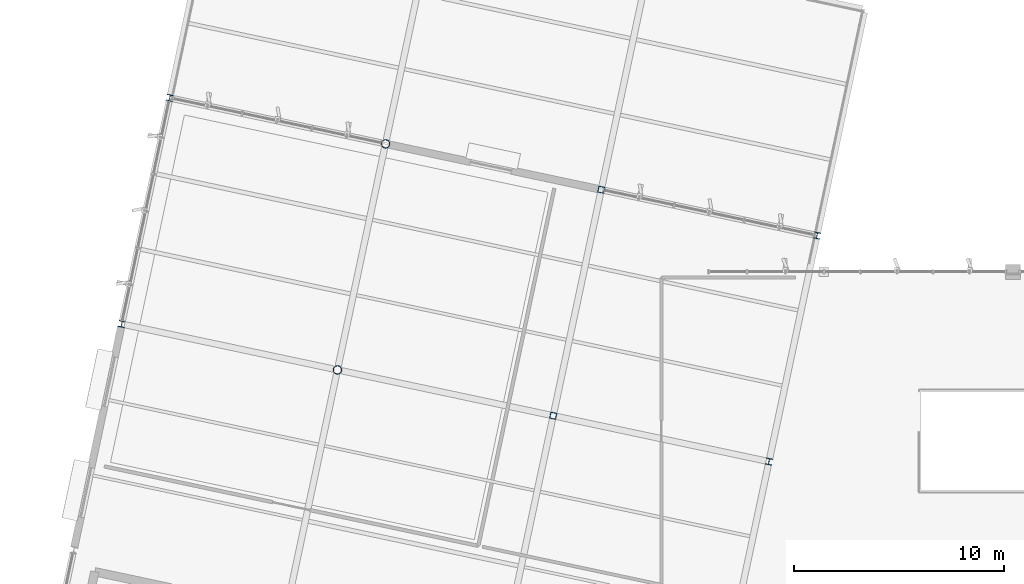
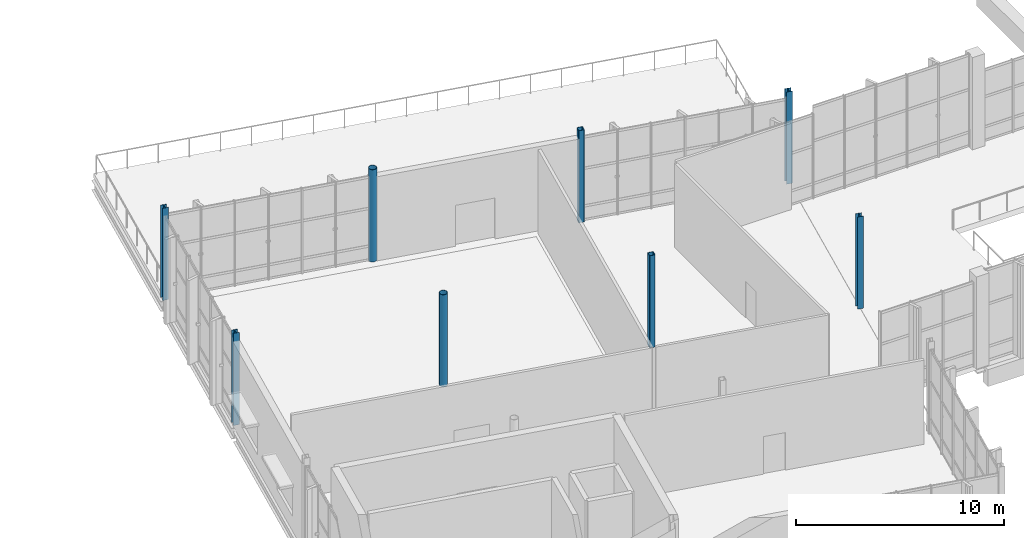
# One storey, part 7 of 176: 8 columns.
"""IFC4 building model written with IfcOpenShell, lengths in metres."""

from ifc_helpers import new_model, si_unit, direction, frame, origin, origin_2d, place, context, subcontext, project, spatial, hollow_rectangle, hollow_circle, i_section, extrude, material, material_profile, profile_set, type_object, element, save


model = new_model("IFC4")

# Units and contexts
model_context = context("Model", 3, precision=1e-05, world=origin(), true_north=direction((0.0, 1.0)))
body_context = subcontext(model_context, "Body", "Model", "MODEL_VIEW")
ifc_project = project(units=[si_unit("LENGTHUNIT", "METRE"), si_unit("AREAUNIT", "SQUARE_METRE"), si_unit("VOLUMEUNIT", "CUBIC_METRE"), si_unit("PLANEANGLEUNIT", "RADIAN"), si_unit("MASSUNIT", "GRAM", prefix="KILO")], contexts=[model_context])

# Site, building, storey
site_placement = place(None, origin())
site = spatial("IfcSite", under=ifc_project, at=site_placement, CompositionType="ELEMENT")
building_placement = place(site_placement, origin())
building = spatial("IfcBuilding", under=site, at=building_placement, Name="Khorjan Park Terminus", CompositionType="ELEMENT")
storey_placement = place(building_placement, frame((0.0, 0.0, 6.0)))
storey = spatial("IfcBuildingStorey", under=building, at=storey_placement, Name="L01", CompositionType="ELEMENT", Elevation=6.0)

# Columns
ifc_material = material(Name="Steel S355", Category="steel")
ifc_material_profile_1 = material_profile(ifc_material, i_section(OverallWidth=0.3, OverallDepth=0.3, WebThickness=0.011, FlangeThickness=0.019, FilletRadius=0.027, at=origin_2d()), Name="HEB 300")
ifc_profile_set_1 = profile_set([ifc_material_profile_1], Name="Steel S355")
column_type_1 = type_object("IfcColumnType", Name="COL-HB300E", PredefinedType="COLUMN", material=ifc_profile_set_1)
for number, where, z_axis, x_axis, name in (
    (1, (-1.426, 63.519, 0.0), (0.0, 0.0, 1.0), (0.978147600734, -0.207911690818, 0.0), "Structural column SC-H30 (L01 #604)"),
    (2, (0.861, 74.279, 0.0), (0.0, 0.0, 1.0), (0.978147600734, -0.207911690818, 0.0), "Structural column SC-H30 (L01 #607)"),
    (3, (29.386, 56.97, 0.0), (0.0, 0.0, 1.0), (0.978147600734, -0.207911690818, 0.0), "Structural column SC-H30 (L01 #646)"),
    (4, (31.673, 67.73, 0.0), (0.0, 0.0, 1.0), (0.978147600734, -0.207911690818, 0.0), "Structural column SC-H30 (L01 #649)"),
):
    element("IfcColumn", number, at=place(storey_placement, frame(where, z_axis=z_axis, x_axis=x_axis)), inside=storey, type_object=column_type_1, Name=name, PredefinedType="COLUMN", context=body_context, shape_type="SweptSolid", body=[
        extrude(i_section(OverallWidth=0.3, OverallDepth=0.3, WebThickness=0.011, FlangeThickness=0.019, FilletRadius=0.027, at=origin_2d()), origin(), (0.0, 0.0, 1.0), 5.4),
    ])
ifc_material_profile_2 = material_profile(ifc_material, hollow_circle(Radius=0.2032, WallThickness=0.016, at=origin_2d()), Name="CHS 406.4x16")
ifc_profile_set_2 = profile_set([ifc_material_profile_2], Name="Steel S355")
column_type_2 = type_object("IfcColumnType", Name="COL-SH406", PredefinedType="COLUMN", material=ifc_profile_set_2)
for number, where, z_axis, x_axis, name in (
    (5, (8.845, 61.336, 0.0), (0.0, 0.0, 1.0), (0.978147600734, -0.207911690818, 0.0), "Structural column SC-41 (L01 #618)"),
    (6, (11.132, 72.096, 0.0), (0.0, 0.0, 1.0), (0.978147600734, -0.207911690818, 0.0), "Structural column SC-41 (L01 #621)"),
):
    element("IfcColumn", number, at=place(storey_placement, frame(where, z_axis=z_axis, x_axis=x_axis)), inside=storey, type_object=column_type_2, Name=name, PredefinedType="COLUMN", context=body_context, shape_type="SweptSolid", body=[
        extrude(hollow_circle(Radius=0.2032, WallThickness=0.016, at=origin_2d()), origin(), (0.0, 0.0, 1.0), 5.4),
    ])
ifc_material_profile_3 = material_profile(ifc_material, hollow_rectangle(XDim=0.3, YDim=0.3, WallThickness=0.016, InnerFilletRadius=0.016, OuterFilletRadius=0.032, at=origin_2d()), Name="SHS 300x300x16")
ifc_profile_set_3 = profile_set([ifc_material_profile_3], Name="Steel S355")
column_type_3 = type_object("IfcColumnType", Name="COL-SHS300", PredefinedType="COLUMN", material=ifc_profile_set_3)
for number, where, z_axis, x_axis, name in (
    (7, (19.115, 59.153, 0.0), (0.0, 0.0, 1.0), (0.978147600734, -0.207911690818, 0.0), "Structural column SC-S30 (L01 #632)"),
    (8, (21.402, 69.913, 0.0), (0.0, 0.0, 1.0), (0.978147600734, -0.207911690818, 0.0), "Structural column SC-S30 (L01 #635)"),
):
    element("IfcColumn", number, at=place(storey_placement, frame(where, z_axis=z_axis, x_axis=x_axis)), inside=storey, type_object=column_type_3, Name=name, PredefinedType="COLUMN", context=body_context, shape_type="SweptSolid", body=[
        extrude(hollow_rectangle(XDim=0.3, YDim=0.3, WallThickness=0.016, InnerFilletRadius=0.016, OuterFilletRadius=0.032, at=origin_2d()), origin(), (0.0, 0.0, 1.0), 5.4),
    ])

save(model, "model.ifc")
